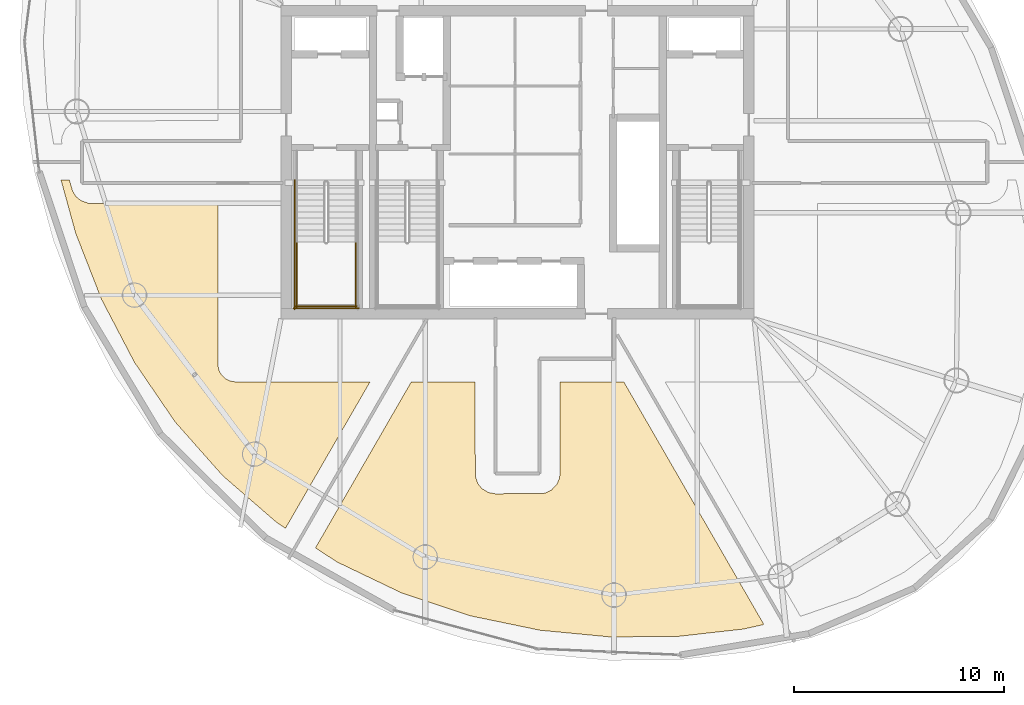
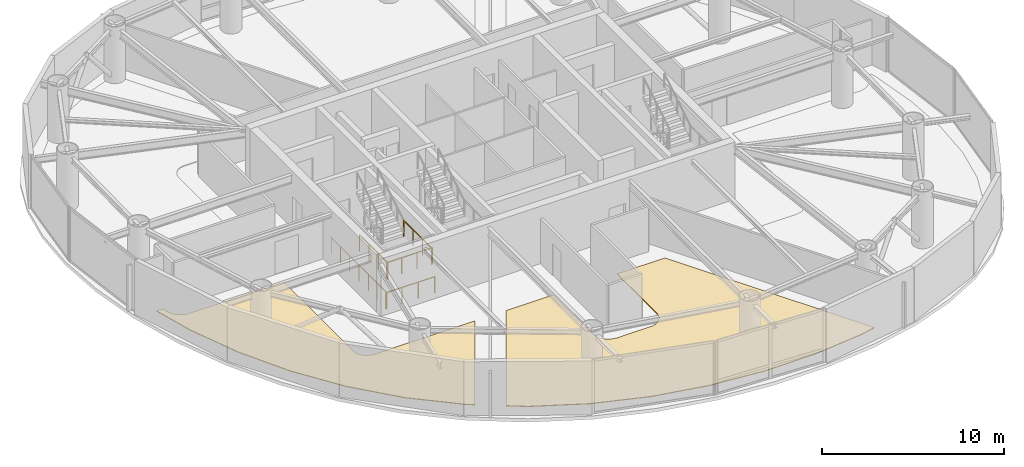
# One storey, part 17 of 20: 5 railings, 2 coverings.
"""IFC4 building model written with IfcOpenShell, lengths in metres."""

from ifc_helpers import new_model, si_unit, direction, frame, origin, origin_2d, place, context, subcontext, project, spatial, polyline, circle, outline, extrude, material, layer, layer_set, type_object, element, save


model = new_model("IFC4")

# Units and contexts
model_context = context("Model", 3, precision=1e-05, world=origin(), true_north=direction((0.0, 1.0)))
body_context = subcontext(model_context, "Body", "Model", "MODEL_VIEW")
ifc_project = project(units=[si_unit("LENGTHUNIT", "METRE"), si_unit("AREAUNIT", "SQUARE_METRE"), si_unit("VOLUMEUNIT", "CUBIC_METRE"), si_unit("PLANEANGLEUNIT", "RADIAN"), si_unit("MASSUNIT", "GRAM", prefix="KILO")], contexts=[model_context])

# Site, building, storey
site_placement = place(None, origin())
site = spatial("IfcSite", under=ifc_project, at=site_placement, CompositionType="ELEMENT")
building_placement = place(site_placement, origin())
building = spatial("IfcBuilding", under=site, at=building_placement, Name="Bramvorn Convention Spire", CompositionType="ELEMENT")
storey_placement = place(building_placement, frame((0.0, 0.0, 178.89990234375)))
storey = spatial("IfcBuildingStorey", under=building, at=storey_placement, Name="L45", CompositionType="ELEMENT", Elevation=178.89990234375)

# Coverings
ifc_material_1 = material(Name="Calcium-Sulphate Raised Access Office Floor", Category="steel")
ifc_layer = layer(ifc_material_1, 0.044921875)
ifc_layer_set = layer_set([ifc_layer], Name="Calcium-Sulphate Raised Access Office Floor - FLR-RAISED-45")
covering_type = type_object("IfcCoveringType", Name="FLR-RAISED-45", PredefinedType="FLOORING", material=ifc_layer_set)
covering_1_placement = place(storey_placement, origin())
element("IfcCovering", 1, at=covering_1_placement, inside=storey, type_object=covering_type, Name="L45 Open-Plan Design Office D 4 raised floor finish", PredefinedType="FLOORING", context=body_context, shape_type="SweptSolid", body=[
    extrude(outline(polyline([(16.99658203125, 22.60400390625), (18.215576171875, 19.48388671875), (19.791259765625, 16.469970703125), (21.71826171875, 13.646728515625), (23.98291015625, 11.089111328125), (26.560791015625, 8.855712890625), (26.966796875, 8.590087890625), (30.985107421875, 15.550048828125), (24.60009765625, 15.550048828125), (24.353271484375, 15.586669921875), (24.127685546875, 15.693359375), (23.94287109375, 15.86083984375), (23.850341796875, 15.999267578125), (23.78662109375, 16.1533203125), (23.75, 16.39990234375), (23.75, 24.030029296875), (17.59765625, 24.040283203125), (17.234375, 24.17041015625), (17.00341796875, 24.365478515625), (16.848388671875, 24.611083984375), (16.689697265625, 25.14990234375), (16.29541015625, 25.14990234375), (16.99658203125, 22.60400390625)])), origin(), (0.0, 0.0, 1.0), 0.045166015625),
])
covering_2_placement = place(storey_placement, origin())
element("IfcCovering", 2, at=covering_2_placement, inside=storey, type_object=covering_type, Name="L45 Client Meeting Boardroom 5 raised floor finish", PredefinedType="FLOORING", context=body_context, shape_type="SweptSolid", body=[
    extrude(outline(polyline([(48.748779296875, 3.79931640625), (49.7119140625, 4.014404296875), (43.0517578125, 15.550048828125), (40.02001953125, 15.550048828125), (40.01904296875, 11.158203125), (39.989501953125, 10.95849609375), (39.885009765625, 10.706298828125), (39.623046875, 10.41748046875), (39.38232421875, 10.288818359375), (39.197998046875, 10.241455078125), (36.949951171875, 10.22998046875), (36.61767578125, 10.288818359375), (36.302978515625, 10.477294921875), (36.114990234375, 10.706298828125), (35.991455078125, 11.052001953125), (35.97998046875, 15.550048828125), (32.9482421875, 15.550048828125), (28.3916015625, 7.657958984375), (29.4150390625, 6.98828125), (32.495361328125, 5.510986328125), (35.73828125, 4.430908203125), (39.06884765625, 3.7412109375), (42.4033203125, 3.423583984375), (45.657470703125, 3.452392578125), (48.748779296875, 3.79931640625)])), origin(), (0.0, 0.0, 1.0), 0.045166015625),
])

# Railings
ifc_material_2 = material(Name="Painted Steel Balustrade & Guardrail", Category="steel")
railing_type = type_object("IfcRailingType", Name="RL-STAIR-GUARD-1100", PredefinedType="GUARDRAIL", material=ifc_material_2)
for number, where, name in (
    (3, (27.5, 22.199951171875, 1.925048828125), "L45 ST1 stair guard 3"),
    (4, (30.300048828125, 22.199951171875, 1.925048828125), "L45 ST1 stair guard 4"),
):
    element("IfcRailing", number, at=place(storey_placement, frame(where)), inside=storey, type_object=railing_type, Name=name, PredefinedType="GUARDRAIL", context=body_context, shape_type="SweptSolid", body=[
        extrude(circle(Radius=0.02392578125, at=origin_2d()), frame((0.0, 0.0, 1.076171875), z_axis=(0.0, -1.0, 0.0), x_axis=(1.0, 0.0, 0.0)), (0.0, 0.0, 1.0), 3.099853515625),
        extrude(circle(Radius=0.02099609375, at=origin_2d()), origin(), (0.0, 0.0, 1.0), 1.052001953125),
        extrude(circle(Radius=0.02099609375, at=origin_2d()), frame((0.0, -1.033203125, 0.0)), (0.0, 0.0, 1.0), 1.052001953125),
        extrude(circle(Radius=0.02099609375, at=origin_2d()), frame((0.0, -2.066650390625, 0.0)), (0.0, 0.0, 1.0), 1.052001953125),
        extrude(circle(Radius=0.02099609375, at=origin_2d()), frame((0.0, -3.099853515625, 0.0)), (0.0, 0.0, 1.0), 1.052001953125),
    ])
railing_1_placement = place(storey_placement, frame((27.449951171875, 19.14990234375, 1.925048828125)))
element("IfcRailing", 5, at=railing_1_placement, inside=storey, type_object=railing_type, Name="L45 ST1 stair guard 5", PredefinedType="GUARDRAIL", context=body_context, shape_type="SweptSolid", body=[
    extrude(circle(Radius=0.02392578125, at=origin_2d()), frame((0.0, 0.0, 1.076171875), z_axis=(1.0, 0.0, 0.0), x_axis=(0.0, 1.0, 0.0)), (0.0, 0.0, 1.0), 2.900146484375),
    extrude(circle(Radius=0.02099609375, at=origin_2d()), origin(), (0.0, 0.0, 1.0), 1.052001953125),
    extrude(circle(Radius=0.02099609375, at=origin_2d()), frame((0.966796875, 0.0, 0.0)), (0.0, 0.0, 1.0), 1.052001953125),
    extrude(circle(Radius=0.02099609375, at=origin_2d()), frame((1.933349609375, 0.0, 0.0)), (0.0, 0.0, 1.0), 1.052001953125),
    extrude(circle(Radius=0.02099609375, at=origin_2d()), frame((2.900146484375, 0.0, 0.0)), (0.0, 0.0, 1.0), 1.052001953125),
])
railing_2_placement = place(storey_placement, frame((27.39990234375, 25.14990234375, 0.0)))
element("IfcRailing", 6, at=railing_2_placement, inside=storey, type_object=railing_type, Name="L45 ST1 stair guard 10", PredefinedType="GUARDRAIL", context=body_context, shape_type="SweptSolid", body=[
    extrude(circle(Radius=0.02392578125, at=origin_2d()), frame((0.0, 0.0, 1.076171875), z_axis=(0.0, -1.0, 0.0), x_axis=(1.0, 0.0, 0.0)), (0.0, 0.0, 1.0), 6.14990234375),
    extrude(circle(Radius=0.02099609375, at=origin_2d()), origin(), (0.0, 0.0, 1.0), 1.052001953125),
    extrude(circle(Radius=0.02099609375, at=origin_2d()), frame((0.0, -1.02490234375, 0.0)), (0.0, 0.0, 1.0), 1.052001953125),
    extrude(circle(Radius=0.02099609375, at=origin_2d()), frame((0.0, -2.050048828125, 0.0)), (0.0, 0.0, 1.0), 1.052001953125),
    extrude(circle(Radius=0.02099609375, at=origin_2d()), frame((0.0, -3.074951171875, 0.0)), (0.0, 0.0, 1.0), 1.052001953125),
    extrude(circle(Radius=0.02099609375, at=origin_2d()), frame((0.0, -4.099853515625, 0.0)), (0.0, 0.0, 1.0), 1.052001953125),
    extrude(circle(Radius=0.02099609375, at=origin_2d()), frame((0.0, -5.125, 0.0)), (0.0, 0.0, 1.0), 1.052001953125),
    extrude(circle(Radius=0.02099609375, at=origin_2d()), frame((0.0, -6.14990234375, 0.0)), (0.0, 0.0, 1.0), 1.052001953125),
])
railing_3_placement = place(storey_placement, frame((27.35009765625, 19.050048828125, 0.0)))
element("IfcRailing", 7, at=railing_3_placement, inside=storey, type_object=railing_type, Name="L45 ST1 stair guard 12", PredefinedType="GUARDRAIL", context=body_context, shape_type="SweptSolid", body=[
    extrude(circle(Radius=0.02392578125, at=origin_2d()), frame((0.0, 0.0, 1.076171875), z_axis=(1.0, 0.0, 0.0), x_axis=(0.0, 1.0, 0.0)), (0.0, 0.0, 1.0), 3.099853515625),
    extrude(circle(Radius=0.02099609375, at=origin_2d()), origin(), (0.0, 0.0, 1.0), 1.052001953125),
    extrude(circle(Radius=0.02099609375, at=origin_2d()), frame((1.033203125, 0.0, 0.0)), (0.0, 0.0, 1.0), 1.052001953125),
    extrude(circle(Radius=0.02099609375, at=origin_2d()), frame((2.066650390625, 0.0, 0.0)), (0.0, 0.0, 1.0), 1.052001953125),
    extrude(circle(Radius=0.02099609375, at=origin_2d()), frame((3.099853515625, 0.0, 0.0)), (0.0, 0.0, 1.0), 1.052001953125),
])

save(model, "model.ifc")
